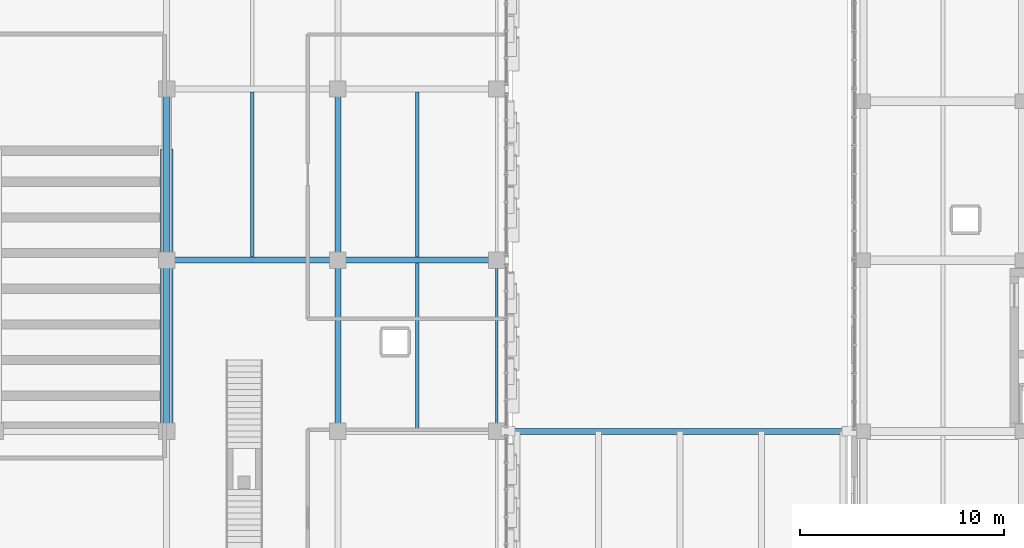
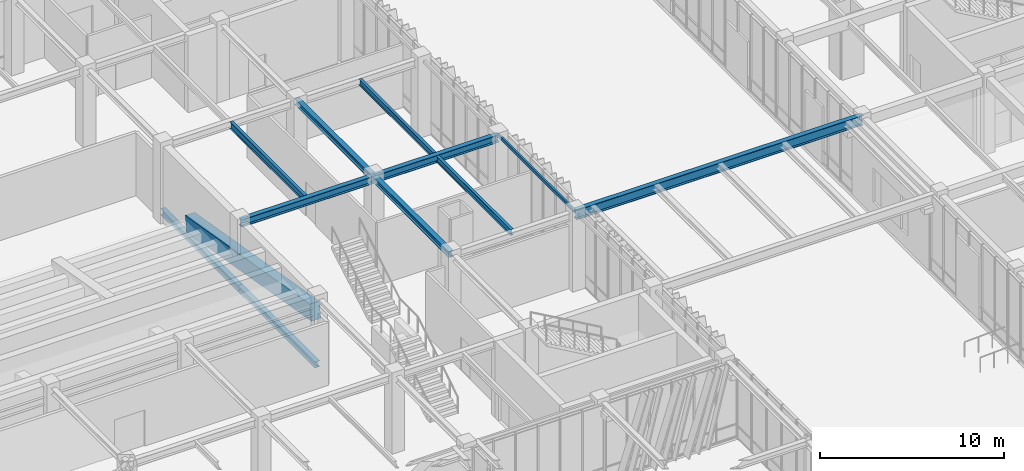
# One storey, part 54 of 122: 12 beams.
"""IFC4 building model written with IfcOpenShell, lengths in metres."""

from ifc_helpers import new_model, si_unit, direction, frame, origin, origin_2d, place, context, subcontext, project, spatial, rectangle, hollow_rectangle, i_section, extrude, material, material_profile, profile_set, type_object, element, save


model = new_model("IFC4")

# Units and contexts
model_context = context("Model", 3, precision=1e-05, world=origin(), true_north=direction((0.0, 1.0)))
body_context = subcontext(model_context, "Body", "Model", "MODEL_VIEW")
ifc_project = project(units=[si_unit("LENGTHUNIT", "METRE"), si_unit("AREAUNIT", "SQUARE_METRE"), si_unit("VOLUMEUNIT", "CUBIC_METRE"), si_unit("PLANEANGLEUNIT", "RADIAN"), si_unit("MASSUNIT", "GRAM", prefix="KILO")], contexts=[model_context])

# Site, building, storey
site_placement = place(None, origin())
site = spatial("IfcSite", under=ifc_project, at=site_placement, CompositionType="ELEMENT")
building_placement = place(site_placement, origin())
building = spatial("IfcBuilding", under=site, at=building_placement, Name="Zayran Congress Hotel", CompositionType="ELEMENT")
storey_placement = place(building_placement, origin())
storey = spatial("IfcBuildingStorey", under=building, at=storey_placement, Name="L00", CompositionType="ELEMENT", Elevation=0.0)

# Beams
ifc_material_1 = material(Name="Concrete C40/50", Category="concrete")
ifc_material_profile_1 = material_profile(ifc_material_1, rectangle(XDim=0.60009765625, YDim=1.050048828125, at=origin_2d()), Name="RC 600x1050")
ifc_profile_set_1 = profile_set([ifc_material_profile_1], Name="Concrete C40/50")
beam_type_1 = type_object("IfcBeamType", Name="TP-RK-01", PredefinedType="BEAM", material=ifc_profile_set_1)
beam_1_placement = place(storey_placement, frame((75.60009765625, 84.625, 3.89501953125), z_axis=(0.0, 0.985656119811, -0.168766150278), x_axis=(-1.0, 0.0, 0.0)))
element("IfcBeam", 1, at=beam_1_placement, inside=storey, type_object=beam_type_1, Name="Congress Hall Raker Beam 75.6", PredefinedType="BEAM", context=body_context, shape_type="SweptSolid", body=[
    extrude(rectangle(XDim=0.60009765625, YDim=1.050048828125, at=origin_2d()), origin(), (0.0, 0.0, 1.0), 13.747314453125),
])
ifc_material_2 = material(Name="Steel S355", Category="steel")
ifc_material_profile_2 = material_profile(ifc_material_2, i_section(OverallWidth=0.300048828125, OverallDepth=0.639892578125, WebThickness=0.013427734375, FlangeThickness=0.02587890625, at=origin_2d()), Name="HEA 650")
ifc_profile_set_2 = profile_set([ifc_material_profile_2], Name="Steel S355")
beam_type_2 = type_object("IfcBeamType", Name="TP-BM-04", PredefinedType="BEAM", material=ifc_profile_set_2)
beam_2_placement = place(storey_placement, frame((91.800048828125, 84.39990234375, 4.830078125), z_axis=(1.0, 0.0, 0.0), x_axis=(0.0, 1.0, 0.0)))
element("IfcBeam", 2, at=beam_2_placement, inside=storey, type_object=beam_type_2, Name="BM-BR1-L00-2402", PredefinedType="BEAM", context=body_context, shape_type="SweptSolid", body=[
    extrude(i_section(OverallWidth=0.300048828125, OverallDepth=0.639892578125, WebThickness=0.013427734375, FlangeThickness=0.02587890625, at=origin_2d()), origin(), (0.0, 0.0, 1.0), 18.0),
])
ifc_material_profile_3 = material_profile(ifc_material_2, i_section(OverallWidth=0.300048828125, OverallDepth=0.489990234375, WebThickness=0.011962890625, FlangeThickness=0.02294921875, at=origin_2d()), Name="HEA 500")
ifc_profile_set_3 = profile_set([ifc_material_profile_3], Name="Steel S355")
beam_type_3 = type_object("IfcBeamType", Name="TP-BM-05", PredefinedType="BEAM", material=ifc_profile_set_3)
beam_3_placement = place(storey_placement, frame((75.60009765625, 92.800048828125, 4.8349609375), z_axis=(1.0, 0.0, 0.0), x_axis=(0.0, 1.0, 0.0)))
element("IfcBeam", 3, at=beam_3_placement, inside=storey, type_object=beam_type_3, Name="BM-V1-L00-0419", PredefinedType="BEAM", context=body_context, shape_type="SweptSolid", body=[
    extrude(i_section(OverallWidth=0.300048828125, OverallDepth=0.489990234375, WebThickness=0.011962890625, FlangeThickness=0.02294921875, at=origin_2d()), origin(), (0.0, 0.0, 1.0), 8.39990234375),
])
beam_4_placement = place(storey_placement, frame((84.0, 92.800048828125, 4.8349609375), z_axis=(1.0, 0.0, 0.0), x_axis=(0.0, 1.0, 0.0)))
element("IfcBeam", 4, at=beam_4_placement, inside=storey, type_object=beam_type_3, Name="BM-V1-L00-0420", PredefinedType="BEAM", context=body_context, shape_type="SweptSolid", body=[
    extrude(i_section(OverallWidth=0.300048828125, OverallDepth=0.489990234375, WebThickness=0.011962890625, FlangeThickness=0.02294921875, at=origin_2d()), origin(), (0.0, 0.0, 1.0), 7.800048828125),
])
ifc_material_profile_4 = material_profile(ifc_material_2, i_section(OverallWidth=0.300048828125, OverallDepth=0.389892578125, WebThickness=0.010986328125, FlangeThickness=0.01904296875, at=origin_2d()), Name="HEA 400")
ifc_profile_set_4 = profile_set([ifc_material_profile_4], Name="Steel S355")
beam_type_4 = type_object("IfcBeamType", Name="TP-BM-06", PredefinedType="BEAM", material=ifc_profile_set_4)
beam_5_placement = place(storey_placement, frame((75.60009765625, 84.39990234375, 0.5048828125), z_axis=(0.0, 1.0, 0.0), x_axis=(-1.0, 0.0, 0.0)))
element("IfcBeam", 5, at=beam_5_placement, inside=storey, type_object=beam_type_4, Name="BM-V1-L00-0477", PredefinedType="BEAM", context=body_context, shape_type="SweptSolid", body=[
    extrude(i_section(OverallWidth=0.300048828125, OverallDepth=0.389892578125, WebThickness=0.010986328125, FlangeThickness=0.01904296875, at=origin_2d()), origin(), (0.0, 0.0, 1.0), 8.400146484375),
])
beam_6_placement = place(storey_placement, frame((75.60009765625, 92.800048828125, 0.5048828125), z_axis=(0.0, 1.0, 0.0), x_axis=(-1.0, 0.0, 0.0)))
element("IfcBeam", 6, at=beam_6_placement, inside=storey, type_object=beam_type_4, Name="BM-V1-L00-0478", PredefinedType="BEAM", context=body_context, shape_type="SweptSolid", body=[
    extrude(i_section(OverallWidth=0.300048828125, OverallDepth=0.389892578125, WebThickness=0.010986328125, FlangeThickness=0.01904296875, at=origin_2d()), origin(), (0.0, 0.0, 1.0), 8.39990234375),
])
beam_7_placement = place(storey_placement, frame((84.0, 84.39990234375, 4.885009765625), z_axis=(0.0, 1.0, 0.0), x_axis=(-1.0, 0.0, 0.0)))
element("IfcBeam", 7, at=beam_7_placement, inside=storey, type_object=beam_type_4, Name="BM-V1-L00-0482", PredefinedType="BEAM", context=body_context, shape_type="SweptSolid", body=[
    extrude(i_section(OverallWidth=0.300048828125, OverallDepth=0.389892578125, WebThickness=0.010986328125, FlangeThickness=0.01904296875, at=origin_2d()), origin(), (0.0, 0.0, 1.0), 8.400146484375),
])
beam_8_placement = place(storey_placement, frame((84.0, 92.800048828125, 4.885009765625), z_axis=(0.0, 1.0, 0.0), x_axis=(-1.0, 0.0, 0.0)))
element("IfcBeam", 8, at=beam_8_placement, inside=storey, type_object=beam_type_4, Name="BM-V1-L00-0483", PredefinedType="BEAM", context=body_context, shape_type="SweptSolid", body=[
    extrude(i_section(OverallWidth=0.300048828125, OverallDepth=0.389892578125, WebThickness=0.010986328125, FlangeThickness=0.01904296875, at=origin_2d()), origin(), (0.0, 0.0, 1.0), 8.39990234375),
])
ifc_material_profile_5 = material_profile(ifc_material_2, i_section(OverallWidth=0.18994140625, OverallDepth=0.449951171875, WebThickness=0.009521484375, FlangeThickness=0.0146484375, at=origin_2d()), Name="IPE 450")
ifc_profile_set_5 = profile_set([ifc_material_profile_5], Name="Steel S355")
beam_type_5 = type_object("IfcBeamType", Name="TP-JS-02", PredefinedType="JOIST", material=ifc_profile_set_5)
beam_9_placement = place(storey_placement, frame((79.800048828125, 92.949951171875, 4.85498046875), z_axis=(0.0, 1.0, 0.0), x_axis=(-1.0, 0.0, 0.0)))
element("IfcBeam", 9, at=beam_9_placement, inside=storey, type_object=beam_type_5, Name="JST-V1-L00-0508", PredefinedType="JOIST", context=body_context, shape_type="SweptSolid", body=[
    extrude(i_section(OverallWidth=0.18994140625, OverallDepth=0.449951171875, WebThickness=0.009521484375, FlangeThickness=0.0146484375, at=origin_2d()), origin(), (0.0, 0.0, 1.0), 8.10009765625),
])
ifc_material_profile_6 = material_profile(ifc_material_2, i_section(OverallWidth=0.179931640625, OverallDepth=0.39990234375, WebThickness=0.008544921875, FlangeThickness=0.013427734375, at=origin_2d()), Name="IPE 400")
ifc_profile_set_6 = profile_set([ifc_material_profile_6], Name="Steel S355")
beam_type_6 = type_object("IfcBeamType", Name="TP-JS-03", PredefinedType="JOIST", material=ifc_profile_set_6)
beam_10_placement = place(storey_placement, frame((87.89990234375, 84.550048828125, 4.8798828125), z_axis=(0.0, 1.0, 0.0), x_axis=(-1.0, 0.0, 0.0)))
element("IfcBeam", 10, at=beam_10_placement, inside=storey, type_object=beam_type_6, Name="JST-V1-L00-0511", PredefinedType="JOIST", context=body_context, shape_type="SweptSolid", body=[
    extrude(i_section(OverallWidth=0.179931640625, OverallDepth=0.39990234375, WebThickness=0.008544921875, FlangeThickness=0.013427734375, at=origin_2d()), origin(), (0.0, 0.0, 1.0), 8.099853515625),
])
beam_11_placement = place(storey_placement, frame((87.89990234375, 92.949951171875, 4.8798828125), z_axis=(0.0, 1.0, 0.0), x_axis=(-1.0, 0.0, 0.0)))
element("IfcBeam", 11, at=beam_11_placement, inside=storey, type_object=beam_type_6, Name="JST-V1-L00-0512", PredefinedType="JOIST", context=body_context, shape_type="SweptSolid", body=[
    extrude(i_section(OverallWidth=0.179931640625, OverallDepth=0.39990234375, WebThickness=0.008544921875, FlangeThickness=0.013427734375, at=origin_2d()), origin(), (0.0, 0.0, 1.0), 8.10009765625),
])
ifc_material_profile_7 = material_profile(ifc_material_2, hollow_rectangle(XDim=0.1201171875, YDim=0.199951171875, WallThickness=0.008056640625, at=origin_2d()), Name="RHS 200x120x8")
ifc_profile_set_7 = profile_set([ifc_material_profile_7], Name="Steel S355")
beam_type_7 = type_object("IfcBeamType", Name="TP-SP-02", PredefinedType="SPANDREL", material=ifc_profile_set_7)
beam_12_placement = place(storey_placement, frame((91.800048828125, 84.39990234375, 4.97998046875), z_axis=(0.0, 1.0, 0.0), x_axis=(-1.0, 0.0, 0.0)))
element("IfcBeam", 12, at=beam_12_placement, inside=storey, type_object=beam_type_7, Name="BM-V1-L00-0487", PredefinedType="SPANDREL", context=body_context, shape_type="SweptSolid", body=[
    extrude(hollow_rectangle(XDim=0.1201171875, YDim=0.199951171875, WallThickness=0.008056640625, at=origin_2d()), origin(), (0.0, 0.0, 1.0), 8.400146484375),
])

save(model, "model.ifc")
